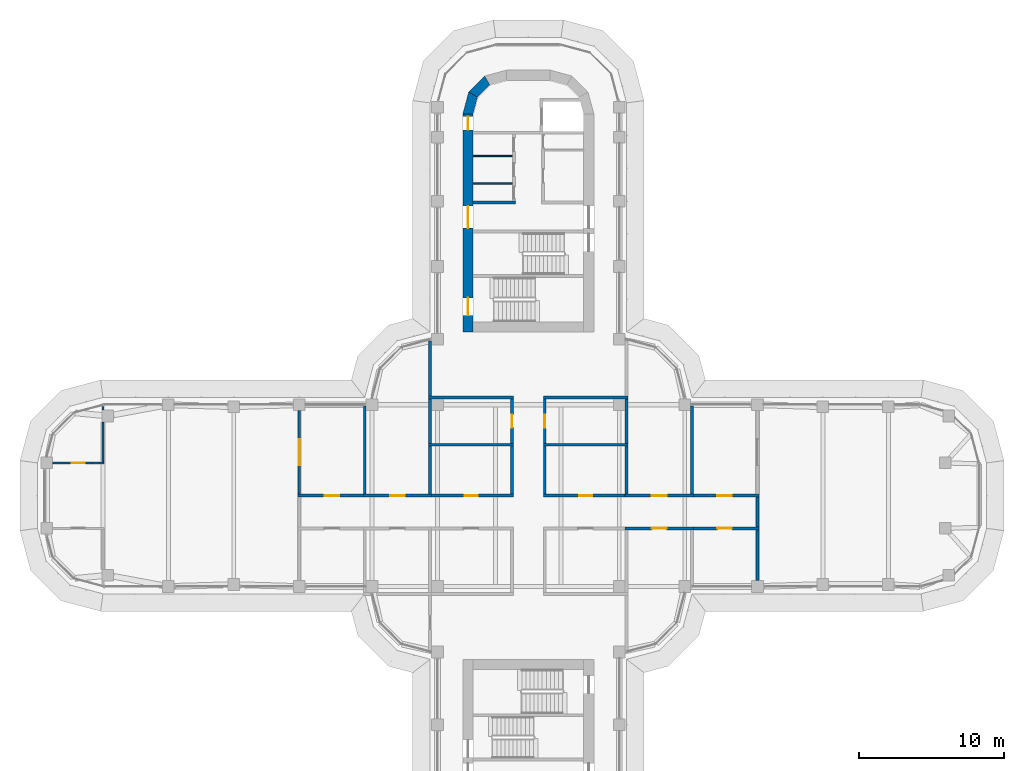
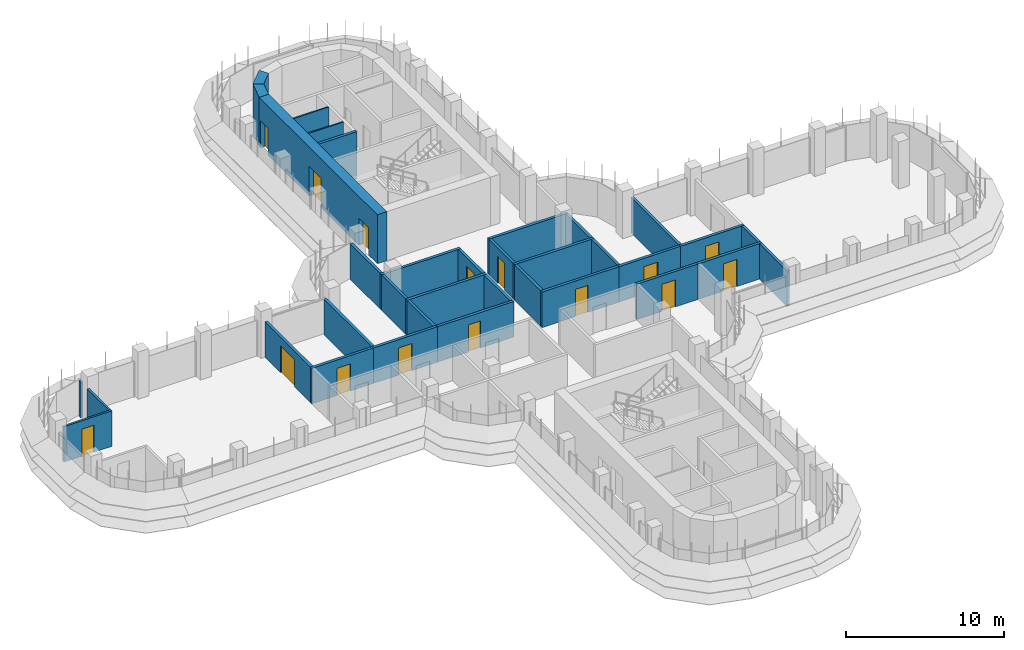
# One storey, part 14 of 19: 35 walls, 15 doors, 15 openings.
"""IFC4 building model written with IfcOpenShell, lengths in metres."""

from ifc_helpers import new_model, si_unit, direction, frame, frame_2d, origin, place, context, subcontext, project, spatial, polyline, rectangle, outline, extrude, material, layer, layer_set, type_object, element, fill, save


model = new_model("IFC4")

# Units and contexts
model_context = context("Model", 3, precision=1e-05, world=origin(), true_north=direction((0.0, 1.0)))
body_context = subcontext(model_context, "Body", "Model", "MODEL_VIEW")
ifc_project = project(units=[si_unit("LENGTHUNIT", "METRE"), si_unit("AREAUNIT", "SQUARE_METRE"), si_unit("VOLUMEUNIT", "CUBIC_METRE"), si_unit("PLANEANGLEUNIT", "RADIAN"), si_unit("MASSUNIT", "GRAM", prefix="KILO")], contexts=[model_context])

# Site, building, storey
site_placement = place(None, origin())
site = spatial("IfcSite", under=ifc_project, at=site_placement, CompositionType="ELEMENT")
building_placement = place(site_placement, origin())
building = spatial("IfcBuilding", under=site, at=building_placement, Name="Zarbagh Exchange Tower", CompositionType="ELEMENT")
storey_placement = place(building_placement, frame((0.0, 0.0, 167.60009765625)))
storey = spatial("IfcBuildingStorey", under=building, at=storey_placement, Name="L40", CompositionType="ELEMENT", Elevation=167.60009765625)

# Walls
ifc_material_1 = material(Name="Dense blockwork", Category="masonry")
ifc_layer_1 = layer(ifc_material_1, 0.10009765625)
ifc_layer_set_1 = layer_set([ifc_layer_1], Name="Core partition 100 mm blockwork")
wall_type_1 = type_object("IfcWallType", Name="Core partition 100 mm blockwork", PredefinedType="PARTITIONING", material=ifc_layer_set_1)
for number, where, z_axis, x_axis, name in (
    (1, (-3.800048828125, 23.35009765625, 0.0), (0.0, 0.0, 1.0), (1.0, 0.0, 0.0), "North core partition wall CUT-W-500"),
    (2, (-3.800048828125, 21.449951171875, 0.0), (0.0, 0.0, 1.0), (1.0, 0.0, 0.0), "North core partition wall CUT-W-690"),
):
    element("IfcWall", number, at=place(storey_placement, frame(where, z_axis=z_axis, x_axis=x_axis)), inside=storey, type_object=wall_type_1, Name=name, PredefinedType="PARTITIONING", context=body_context, shape_type="SweptSolid", body=[
        extrude(rectangle(XDim=2.699951171875, YDim=0.10009765625, at=frame_2d((1.35009765625, 0.0))), origin(), (0.0, 0.0, 1.0), 3.64990234375),
    ])

# Wall, opening, door
ifc_material_2 = material(Name="Plasterboard partition")
ifc_layer_2 = layer(ifc_material_2, 0.14990234375)
ifc_layer_set_2 = layer_set([ifc_layer_2], Name="PARTITION 150")
wall_type_2 = type_object("IfcWallType", Name="PARTITION 150", PredefinedType="PARTITIONING", material=ifc_layer_set_2)
wall_1_placement = place(storey_placement, frame((-32.7099609375, 2.25, 0.0), z_axis=(0.0, 0.0, 1.0), x_axis=(1.0, 0.0, 0.0)))
wall_1 = element("IfcWall", 3, at=wall_1_placement, inside=storey, type_object=wall_type_2, Name="Partition W-1746", PredefinedType="PARTITIONING", context=body_context, shape_type="SweptSolid", body=[
    extrude(rectangle(XDim=3.534912109375, YDim=0.14990234375, at=frame_2d((1.767578125, 0.0))), origin(), (0.0, 0.0, 1.0), 2.75),
])
opening_1_placement = place(wall_1_placement, frame((1.3173828125, 0.0, 0.0)))
opening_1 = element("IfcOpeningElement", 4, at=opening_1_placement, cuts=wall_1, Name="Opening D-1715", PredefinedType="OPENING", context=body_context, shape_type="SweptSolid", body=[
    extrude(rectangle(XDim=0.89990234375, YDim=2.10009765625, at=frame_2d((0.449951171875, 1.050048828125))), frame((0.0, 0.0849609375, 0.0), z_axis=(0.0, -1.0, 0.0), x_axis=(1.0, 0.0, 0.0)), (0.0, 0.0, 1.0), 0.169921875),
])
ifc_material_3 = material(Name="Timber door leaf", Category="wood")
door_type_1 = type_object("IfcDoorType", Name="DOOR 900 X 2100", OperationType="NOTDEFINED", PredefinedType="DOOR", material=ifc_material_3)
door_1_placement = place(opening_1_placement, origin())
door_1 = element("IfcDoor", 5, at=door_1_placement, inside=storey, type_object=door_type_1, Name="Door D-1715", OperationType="SINGLE_SWING_LEFT", OverallHeight=2.10009765625, OverallWidth=0.89990234375, PredefinedType="DOOR", context=body_context, shape_type="SweptSolid", body=[
    extrude(rectangle(XDim=0.89990234375, YDim=2.10009765625, at=frame_2d((0.449951171875, 1.050048828125))), frame((0.0, 0.02490234375, 0.0), z_axis=(0.0, -1.0, 0.0), x_axis=(1.0, 0.0, 0.0)), (0.0, 0.0, 1.0), 0.050048828125),
])
fill(opening_1, door_1)

# Walls
wall_2_placement = place(storey_placement, frame((-29.25, 2.324951171875, 0.0), z_axis=(0.0, 0.0, 1.0), x_axis=(0.0, 1.0, 0.0)))
element("IfcWall", 6, at=wall_2_placement, inside=storey, type_object=wall_type_2, Name="Partition W-1747", PredefinedType="PARTITIONING", context=body_context, shape_type="SweptSolid", body=[
    extrude(rectangle(XDim=2.75, YDim=0.14990234375, at=frame_2d((1.375, 0.0))), origin(), (0.0, 0.0, 1.0), 2.75),
])
wall_3_placement = place(storey_placement, frame((-29.25, 5.875, 0.0), z_axis=(0.0, 0.0, 1.0), x_axis=(0.0, 1.0, 0.0)))
element("IfcWall", 7, at=wall_3_placement, inside=storey, type_object=wall_type_2, Name="Partition W-1748", PredefinedType="PARTITIONING", context=body_context, shape_type="SweptSolid", body=[
    extrude(rectangle(XDim=0.2548828125, YDim=0.14990234375, at=frame_2d((0.12744140625, 0.0))), origin(), (0.0, 0.0, 1.0), 2.75),
])

# Wall, opening, door
ifc_material_4 = material(Name="Fire-rated plasterboard partition")
ifc_layer_3 = layer(ifc_material_4, 0.199951171875)
ifc_layer_set_3 = layer_set([ifc_layer_3], Name="RATED PARTITION 200")
wall_type_3 = type_object("IfcWallType", Name="RATED PARTITION 200", PredefinedType="PARTITIONING", material=ifc_layer_set_3)
wall_4_placement = place(storey_placement, frame((1.02490234375, 0.0, 0.0), z_axis=(0.0, 0.0, 1.0), x_axis=(1.0, 0.0, 0.0)))
wall_4 = element("IfcWall", 8, at=wall_4_placement, inside=storey, type_object=wall_type_3, Name="Partition W-1701", PredefinedType="PARTITIONING", context=body_context, shape_type="SweptSolid", body=[
    extrude(rectangle(XDim=5.8251953125, YDim=0.199951171875, at=frame_2d((2.91259765625, 0.0))), origin(), (0.0, 0.0, 1.0), 2.75),
])
opening_2_placement = place(wall_4_placement, frame((2.46240234375, 0.0, 0.0)))
opening_2 = element("IfcOpeningElement", 9, at=opening_2_placement, cuts=wall_4, Name="Opening D-1704", PredefinedType="OPENING", context=body_context, shape_type="SweptSolid", body=[
    extrude(rectangle(XDim=0.89990234375, YDim=2.10009765625, at=frame_2d((0.449951171875, 1.050048828125))), frame((0.0, 0.10986328125, 0.0), z_axis=(0.0, -1.0, 0.0), x_axis=(1.0, 0.0, 0.0)), (0.0, 0.0, 1.0), 0.219970703125),
])
door_2_placement = place(opening_2_placement, origin())
door_2 = element("IfcDoor", 10, at=door_2_placement, inside=storey, type_object=door_type_1, Name="Door D-1704", OperationType="SINGLE_SWING_RIGHT", OverallHeight=2.10009765625, OverallWidth=0.89990234375, PredefinedType="DOOR", context=body_context, shape_type="SweptSolid", body=[
    extrude(rectangle(XDim=0.89990234375, YDim=2.10009765625, at=frame_2d((0.449951171875, 1.050048828125))), frame((0.0, 0.02490234375, 0.0), z_axis=(0.0, -1.0, 0.0), x_axis=(1.0, 0.0, 0.0)), (0.0, 0.0, 1.0), 0.050048828125),
])
fill(opening_2, door_2)

wall_5_placement = place(storey_placement, frame((6.64990234375, 0.0, 0.0), z_axis=(0.0, 0.0, 1.0), x_axis=(1.0, 0.0, 0.0)))
wall_5 = element("IfcWall", 11, at=wall_5_placement, inside=storey, type_object=wall_type_3, Name="Partition W-1702", PredefinedType="PARTITIONING", context=body_context, shape_type="SweptSolid", body=[
    extrude(rectangle(XDim=4.7001953125, YDim=0.199951171875, at=frame_2d((2.35009765625, 0.0))), origin(), (0.0, 0.0, 1.0), 2.75),
])
opening_3_placement = place(wall_5_placement, frame((1.85009765625, 0.0, 0.0)))
opening_3 = element("IfcOpeningElement", 12, at=opening_3_placement, cuts=wall_5, Name="Opening D-1706", PredefinedType="OPENING", context=body_context, shape_type="SweptSolid", body=[
    extrude(rectangle(XDim=1.0, YDim=2.10009765625, at=frame_2d((0.5, 1.050048828125))), frame((0.0, 0.10986328125, 0.0), z_axis=(0.0, -1.0, 0.0), x_axis=(1.0, 0.0, 0.0)), (0.0, 0.0, 1.0), 0.219970703125),
])
ifc_material_5 = material(Name="Steel door set", Category="steel")
door_type_2 = type_object("IfcDoorType", Name="FIRE DOOR 1000 X 2100 FD30S", OperationType="NOTDEFINED", PredefinedType="DOOR", material=ifc_material_5)
door_3_placement = place(opening_3_placement, origin())
door_3 = element("IfcDoor", 13, at=door_3_placement, inside=storey, type_object=door_type_2, Name="Door D-1706", OperationType="SINGLE_SWING_RIGHT", OverallHeight=2.10009765625, OverallWidth=1.0, PredefinedType="DOOR", context=body_context, shape_type="SweptSolid", body=[
    extrude(rectangle(XDim=1.0, YDim=2.10009765625, at=frame_2d((0.5, 1.050048828125))), frame((0.0, 0.02490234375, 0.0), z_axis=(0.0, -1.0, 0.0), x_axis=(1.0, 0.0, 0.0)), (0.0, 0.0, 1.0), 0.050048828125),
])
fill(opening_3, door_3)

wall_6_placement = place(storey_placement, frame((-6.85009765625, 0.0, 0.0), z_axis=(0.0, 0.0, 1.0), x_axis=(1.0, 0.0, 0.0)))
wall_6 = element("IfcWall", 14, at=wall_6_placement, inside=storey, type_object=wall_type_3, Name="Partition W-1703", PredefinedType="PARTITIONING", context=body_context, shape_type="SweptSolid", body=[
    extrude(rectangle(XDim=5.8251953125, YDim=0.199951171875, at=frame_2d((2.91259765625, 0.0))), origin(), (0.0, 0.0, 1.0), 2.75),
])
opening_4_placement = place(wall_6_placement, frame((2.46240234375, 0.0, 0.0)))
opening_4 = element("IfcOpeningElement", 15, at=opening_4_placement, cuts=wall_6, Name="Opening D-1707", PredefinedType="OPENING", context=body_context, shape_type="SweptSolid", body=[
    extrude(rectangle(XDim=0.89990234375, YDim=2.10009765625, at=frame_2d((0.449951171875, 1.050048828125))), frame((0.0, 0.10986328125, 0.0), z_axis=(0.0, -1.0, 0.0), x_axis=(1.0, 0.0, 0.0)), (0.0, 0.0, 1.0), 0.219970703125),
])
door_4_placement = place(opening_4_placement, origin())
door_4 = element("IfcDoor", 16, at=door_4_placement, inside=storey, type_object=door_type_1, Name="Door D-1707", OperationType="SINGLE_SWING_RIGHT", OverallHeight=2.10009765625, OverallWidth=0.89990234375, PredefinedType="DOOR", context=body_context, shape_type="SweptSolid", body=[
    extrude(rectangle(XDim=0.89990234375, YDim=2.10009765625, at=frame_2d((0.449951171875, 1.050048828125))), frame((0.0, 0.02490234375, 0.0), z_axis=(0.0, -1.0, 0.0), x_axis=(1.0, 0.0, 0.0)), (0.0, 0.0, 1.0), 0.050048828125),
])
fill(opening_4, door_4)

wall_7_placement = place(storey_placement, frame((-11.35009765625, 0.0, 0.0), z_axis=(0.0, 0.0, 1.0), x_axis=(1.0, 0.0, 0.0)))
wall_7 = element("IfcWall", 17, at=wall_7_placement, inside=storey, type_object=wall_type_3, Name="Partition W-1704", PredefinedType="PARTITIONING", context=body_context, shape_type="SweptSolid", body=[
    extrude(rectangle(XDim=4.7001953125, YDim=0.199951171875, at=frame_2d((2.35009765625, 0.0))), origin(), (0.0, 0.0, 1.0), 2.75),
])
opening_5_placement = place(wall_7_placement, frame((1.85009765625, 0.0, 0.0)))
opening_5 = element("IfcOpeningElement", 18, at=opening_5_placement, cuts=wall_7, Name="Opening D-1709", PredefinedType="OPENING", context=body_context, shape_type="SweptSolid", body=[
    extrude(rectangle(XDim=1.0, YDim=2.10009765625, at=frame_2d((0.5, 1.050048828125))), frame((0.0, 0.10986328125, 0.0), z_axis=(0.0, -1.0, 0.0), x_axis=(1.0, 0.0, 0.0)), (0.0, 0.0, 1.0), 0.219970703125),
])
door_5_placement = place(opening_5_placement, origin())
door_5 = element("IfcDoor", 19, at=door_5_placement, inside=storey, type_object=door_type_2, Name="Door D-1709", OperationType="SINGLE_SWING_RIGHT", OverallHeight=2.10009765625, OverallWidth=1.0, PredefinedType="DOOR", context=body_context, shape_type="SweptSolid", body=[
    extrude(rectangle(XDim=1.0, YDim=2.10009765625, at=frame_2d((0.5, 1.050048828125))), frame((0.0, 0.02490234375, 0.0), z_axis=(0.0, -1.0, 0.0), x_axis=(1.0, 0.0, 0.0)), (0.0, 0.0, 1.0), 0.050048828125),
])
fill(opening_5, door_5)

wall_8_placement = place(storey_placement, frame((11.35009765625, -2.25, 0.0), z_axis=(0.0, 0.0, 1.0), x_axis=(-1.0, 0.0, 0.0)))
wall_8 = element("IfcWall", 20, at=wall_8_placement, inside=storey, type_object=wall_type_3, Name="Partition W-1706", PredefinedType="PARTITIONING", context=body_context, shape_type="SweptSolid", body=[
    extrude(rectangle(XDim=4.7001953125, YDim=0.199951171875, at=frame_2d((2.35009765625, 0.0))), origin(), (0.0, 0.0, 1.0), 2.75),
])
opening_6_placement = place(wall_8_placement, frame((1.85009765625, 0.0, 0.0)))
opening_6 = element("IfcOpeningElement", 21, at=opening_6_placement, cuts=wall_8, Name="Opening D-1711", PredefinedType="OPENING", context=body_context, shape_type="SweptSolid", body=[
    extrude(rectangle(XDim=1.0, YDim=2.10009765625, at=frame_2d((0.5, 1.050048828125))), frame((0.0, 0.10986328125, 0.0), z_axis=(0.0, -1.0, 0.0), x_axis=(1.0, 0.0, 0.0)), (0.0, 0.0, 1.0), 0.219970703125),
])
door_6_placement = place(opening_6_placement, origin())
door_6 = element("IfcDoor", 22, at=door_6_placement, inside=storey, type_object=door_type_2, Name="Door D-1711", OperationType="SINGLE_SWING_RIGHT", OverallHeight=2.10009765625, OverallWidth=1.0, PredefinedType="DOOR", context=body_context, shape_type="SweptSolid", body=[
    extrude(rectangle(XDim=1.0, YDim=2.10009765625, at=frame_2d((0.5, 1.050048828125))), frame((0.0, 0.02490234375, 0.0), z_axis=(0.0, -1.0, 0.0), x_axis=(1.0, 0.0, 0.0)), (0.0, 0.0, 1.0), 0.050048828125),
])
fill(opening_6, door_6)

wall_9_placement = place(storey_placement, frame((11.14990234375, 0.0, 0.0), z_axis=(0.0, 0.0, 1.0), x_axis=(1.0, 0.0, 0.0)))
wall_9 = element("IfcWall", 23, at=wall_9_placement, inside=storey, type_object=wall_type_3, Name="Partition W-1709", PredefinedType="PARTITIONING", context=body_context, shape_type="SweptSolid", body=[
    extrude(rectangle(XDim=4.7001953125, YDim=0.199951171875, at=frame_2d((2.35009765625, 0.0))), origin(), (0.0, 0.0, 1.0), 2.75),
])
opening_7_placement = place(wall_9_placement, frame((1.85009765625, 0.0, 0.0)))
opening_7 = element("IfcOpeningElement", 24, at=opening_7_placement, cuts=wall_9, Name="Opening D-1702", PredefinedType="OPENING", context=body_context, shape_type="SweptSolid", body=[
    extrude(rectangle(XDim=1.0, YDim=2.10009765625, at=frame_2d((0.5, 1.050048828125))), frame((0.0, 0.10986328125, 0.0), z_axis=(0.0, -1.0, 0.0), x_axis=(1.0, 0.0, 0.0)), (0.0, 0.0, 1.0), 0.219970703125),
])
door_7_placement = place(opening_7_placement, origin())
door_7 = element("IfcDoor", 25, at=door_7_placement, inside=storey, type_object=door_type_2, Name="Door D-1702", OperationType="SINGLE_SWING_RIGHT", OverallHeight=2.10009765625, OverallWidth=1.0, PredefinedType="DOOR", context=body_context, shape_type="SweptSolid", body=[
    extrude(rectangle(XDim=1.0, YDim=2.10009765625, at=frame_2d((0.5, 1.050048828125))), frame((0.0, 0.02490234375, 0.0), z_axis=(0.0, -1.0, 0.0), x_axis=(1.0, 0.0, 0.0)), (0.0, 0.0, 1.0), 0.050048828125),
])
fill(opening_7, door_7)

wall_10_placement = place(storey_placement, frame((15.85009765625, -2.25, 0.0), z_axis=(0.0, 0.0, 1.0), x_axis=(-1.0, 0.0, 0.0)))
wall_10 = element("IfcWall", 26, at=wall_10_placement, inside=storey, type_object=wall_type_3, Name="Partition W-1710", PredefinedType="PARTITIONING", context=body_context, shape_type="SweptSolid", body=[
    extrude(rectangle(XDim=4.7001953125, YDim=0.199951171875, at=frame_2d((2.35009765625, 0.0))), origin(), (0.0, 0.0, 1.0), 2.75),
])
opening_8_placement = place(wall_10_placement, frame((1.85009765625, 0.0, 0.0)))
opening_8 = element("IfcOpeningElement", 27, at=opening_8_placement, cuts=wall_10, Name="Opening D-1703", PredefinedType="OPENING", context=body_context, shape_type="SweptSolid", body=[
    extrude(rectangle(XDim=1.0, YDim=2.10009765625, at=frame_2d((0.5, 1.050048828125))), frame((0.0, 0.10986328125, 0.0), z_axis=(0.0, -1.0, 0.0), x_axis=(1.0, 0.0, 0.0)), (0.0, 0.0, 1.0), 0.219970703125),
])
door_8_placement = place(opening_8_placement, origin())
door_8 = element("IfcDoor", 28, at=door_8_placement, inside=storey, type_object=door_type_2, Name="Door D-1703", OperationType="SINGLE_SWING_RIGHT", OverallHeight=2.10009765625, OverallWidth=1.0, PredefinedType="DOOR", context=body_context, shape_type="SweptSolid", body=[
    extrude(rectangle(XDim=1.0, YDim=2.10009765625, at=frame_2d((0.5, 1.050048828125))), frame((0.0, 0.02490234375, 0.0), z_axis=(0.0, -1.0, 0.0), x_axis=(1.0, 0.0, 0.0)), (0.0, 0.0, 1.0), 0.050048828125),
])
fill(opening_8, door_8)

# Wall
wall_11_placement = place(storey_placement, frame((15.75, -2.14990234375, 0.0), z_axis=(0.0, 0.0, 1.0), x_axis=(0.0, 1.0, 0.0)))
element("IfcWall", 29, at=wall_11_placement, inside=storey, type_object=wall_type_3, Name="Partition W-1711", PredefinedType="PARTITIONING", context=body_context, shape_type="SweptSolid", body=[
    extrude(rectangle(XDim=2.0498046875, YDim=0.199951171875, at=frame_2d((1.02490234375, 0.0))), origin(), (0.0, 0.0, 1.0), 2.75),
])

# Wall, opening, door
wall_12_placement = place(storey_placement, frame((-15.85009765625, 0.0, 0.0), z_axis=(0.0, 0.0, 1.0), x_axis=(1.0, 0.0, 0.0)))
wall_12 = element("IfcWall", 30, at=wall_12_placement, inside=storey, type_object=wall_type_3, Name="Partition W-1712", PredefinedType="PARTITIONING", context=body_context, shape_type="SweptSolid", body=[
    extrude(rectangle(XDim=4.7001953125, YDim=0.199951171875, at=frame_2d((2.35009765625, 0.0))), origin(), (0.0, 0.0, 1.0), 2.75),
])
opening_9_placement = place(wall_12_placement, frame((1.85009765625, 0.0, 0.0)))
opening_9 = element("IfcOpeningElement", 31, at=opening_9_placement, cuts=wall_12, Name="Opening D-1718", PredefinedType="OPENING", context=body_context, shape_type="SweptSolid", body=[
    extrude(rectangle(XDim=1.0, YDim=2.10009765625, at=frame_2d((0.5, 1.050048828125))), frame((0.0, 0.10986328125, 0.0), z_axis=(0.0, -1.0, 0.0), x_axis=(1.0, 0.0, 0.0)), (0.0, 0.0, 1.0), 0.219970703125),
])
door_9_placement = place(opening_9_placement, origin())
door_9 = element("IfcDoor", 32, at=door_9_placement, inside=storey, type_object=door_type_2, Name="Door D-1718", OperationType="SINGLE_SWING_RIGHT", OverallHeight=2.10009765625, OverallWidth=1.0, PredefinedType="DOOR", context=body_context, shape_type="SweptSolid", body=[
    extrude(rectangle(XDim=1.0, YDim=2.10009765625, at=frame_2d((0.5, 1.050048828125))), frame((0.0, 0.02490234375, 0.0), z_axis=(0.0, -1.0, 0.0), x_axis=(1.0, 0.0, 0.0)), (0.0, 0.0, 1.0), 0.050048828125),
])
fill(opening_9, door_9)

# Wall
wall_13_placement = place(storey_placement, frame((1.125, 0.10009765625, 0.0), z_axis=(0.0, 0.0, 1.0), x_axis=(0.0, 1.0, 0.0)))
element("IfcWall", 33, at=wall_13_placement, inside=storey, type_object=wall_type_3, Name="Partition W-1715", PredefinedType="PARTITIONING", context=body_context, shape_type="SweptSolid", body=[
    extrude(rectangle(XDim=3.2998046875, YDim=0.199951171875, at=frame_2d((1.64990234375, 0.0))), origin(), (0.0, 0.0, 1.0), 2.75),
])

# Wall, opening, door
wall_14_placement = place(storey_placement, frame((1.125, 6.64990234375, 0.0), z_axis=(0.0, 0.0, 1.0), x_axis=(0.0, -1.0, 0.0)))
wall_14 = element("IfcWall", 34, at=wall_14_placement, inside=storey, type_object=wall_type_3, Name="Partition W-1716", PredefinedType="PARTITIONING", context=body_context, shape_type="SweptSolid", body=[
    extrude(rectangle(XDim=3.0498046875, YDim=0.199951171875, at=frame_2d((1.52490234375, 0.0))), origin(), (0.0, 0.0, 1.0), 2.75),
])
opening_10_placement = place(wall_14_placement, frame((1.074951171875, 0.0, 0.0)))
opening_10 = element("IfcOpeningElement", 35, at=opening_10_placement, cuts=wall_14, Name="Opening D-1705", PredefinedType="OPENING", context=body_context, shape_type="SweptSolid", body=[
    extrude(rectangle(XDim=0.89990234375, YDim=2.10009765625, at=frame_2d((0.449951171875, 1.050048828125))), frame((0.0, 0.10986328125, 0.0), z_axis=(0.0, -1.0, 0.0), x_axis=(1.0, 0.0, 0.0)), (0.0, 0.0, 1.0), 0.219970703125),
])
door_10_placement = place(opening_10_placement, origin())
door_10 = element("IfcDoor", 36, at=door_10_placement, inside=storey, type_object=door_type_1, Name="Door D-1705", OperationType="SINGLE_SWING_RIGHT", OverallHeight=2.10009765625, OverallWidth=0.89990234375, PredefinedType="DOOR", context=body_context, shape_type="SweptSolid", body=[
    extrude(rectangle(XDim=0.89990234375, YDim=2.10009765625, at=frame_2d((0.449951171875, 1.050048828125))), frame((0.0, 0.02490234375, 0.0), z_axis=(0.0, -1.0, 0.0), x_axis=(1.0, 0.0, 0.0)), (0.0, 0.0, 1.0), 0.050048828125),
])
fill(opening_10, door_10)

# Wall
wall_15_placement = place(storey_placement, frame((-1.125, 0.10009765625, 0.0), z_axis=(0.0, 0.0, 1.0), x_axis=(0.0, 1.0, 0.0)))
element("IfcWall", 37, at=wall_15_placement, inside=storey, type_object=wall_type_3, Name="Partition W-1717", PredefinedType="PARTITIONING", context=body_context, shape_type="SweptSolid", body=[
    extrude(rectangle(XDim=3.2998046875, YDim=0.199951171875, at=frame_2d((1.64990234375, 0.0))), origin(), (0.0, 0.0, 1.0), 2.75),
])

# Wall, opening, door
wall_16_placement = place(storey_placement, frame((-1.125, 3.60009765625, 0.0), z_axis=(0.0, 0.0, 1.0), x_axis=(0.0, 1.0, 0.0)))
wall_16 = element("IfcWall", 38, at=wall_16_placement, inside=storey, type_object=wall_type_3, Name="Partition W-1718", PredefinedType="PARTITIONING", context=body_context, shape_type="SweptSolid", body=[
    extrude(rectangle(XDim=3.0498046875, YDim=0.199951171875, at=frame_2d((1.52490234375, 0.0))), origin(), (0.0, 0.0, 1.0), 2.75),
])
opening_11_placement = place(wall_16_placement, frame((1.074951171875, 0.0, 0.0)))
opening_11 = element("IfcOpeningElement", 39, at=opening_11_placement, cuts=wall_16, Name="Opening D-1708", PredefinedType="OPENING", context=body_context, shape_type="SweptSolid", body=[
    extrude(rectangle(XDim=0.89990234375, YDim=2.10009765625, at=frame_2d((0.449951171875, 1.050048828125))), frame((0.0, 0.10986328125, 0.0), z_axis=(0.0, -1.0, 0.0), x_axis=(1.0, 0.0, 0.0)), (0.0, 0.0, 1.0), 0.219970703125),
])
door_11_placement = place(opening_11_placement, origin())
door_11 = element("IfcDoor", 40, at=door_11_placement, inside=storey, type_object=door_type_1, Name="Door D-1708", OperationType="SINGLE_SWING_LEFT", OverallHeight=2.10009765625, OverallWidth=0.89990234375, PredefinedType="DOOR", context=body_context, shape_type="SweptSolid", body=[
    extrude(rectangle(XDim=0.89990234375, YDim=2.10009765625, at=frame_2d((0.449951171875, 1.050048828125))), frame((0.0, 0.02490234375, 0.0), z_axis=(0.0, -1.0, 0.0), x_axis=(1.0, 0.0, 0.0)), (0.0, 0.0, 1.0), 0.050048828125),
])
fill(opening_11, door_11)

# Walls
for number, where, z_axis, x_axis, name in (
    (41, (1.02490234375, 6.75, 0.0), (0.0, 0.0, 1.0), (1.0, 0.0, 0.0), "Partition W-1721"),
    (42, (-6.85009765625, 6.75, 0.0), (0.0, 0.0, 1.0), (1.0, 0.0, 0.0), "Partition W-1723"),
):
    element("IfcWall", number, at=place(storey_placement, frame(where, z_axis=z_axis, x_axis=x_axis)), inside=storey, type_object=wall_type_3, Name=name, PredefinedType="PARTITIONING", context=body_context, shape_type="SweptSolid", body=[
        extrude(rectangle(XDim=5.8251953125, YDim=0.199951171875, at=frame_2d((2.91259765625, 0.0))), origin(), (0.0, 0.0, 1.0), 2.75),
    ])
wall_17_placement = place(storey_placement, frame((-6.75, 6.85009765625, 0.0), z_axis=(0.0, 0.0, 1.0), x_axis=(0.0, 1.0, 0.0)))
element("IfcWall", 43, at=wall_17_placement, inside=storey, type_object=wall_type_3, Name="Partition W-1724", PredefinedType="PARTITIONING", context=body_context, shape_type="SweptSolid", body=[
    extrude(rectangle(XDim=3.77978515625, YDim=0.199951171875, at=frame_2d((1.889892578125, 0.0))), origin(), (0.0, 0.0, 1.0), 2.75),
])
wall_18_placement = place(storey_placement, frame((1.02490234375, 3.5, 0.0), z_axis=(0.0, 0.0, 1.0), x_axis=(1.0, 0.0, 0.0)))
element("IfcWall", 44, at=wall_18_placement, inside=storey, type_object=wall_type_3, Name="Partition W-1729", PredefinedType="PARTITIONING", context=body_context, shape_type="SweptSolid", body=[
    extrude(rectangle(XDim=5.8251953125, YDim=0.199951171875, at=frame_2d((2.91259765625, 0.0))), origin(), (0.0, 0.0, 1.0), 2.75),
])
wall_19_placement = place(storey_placement, frame((6.75, 0.10009765625, 0.0), z_axis=(0.0, 0.0, 1.0), x_axis=(0.0, 1.0, 0.0)))
element("IfcWall", 45, at=wall_19_placement, inside=storey, type_object=wall_type_3, Name="Partition W-1730", PredefinedType="PARTITIONING", context=body_context, shape_type="SweptSolid", body=[
    extrude(rectangle(XDim=3.2998046875, YDim=0.199951171875, at=frame_2d((1.64990234375, 0.0))), origin(), (0.0, 0.0, 1.0), 2.75),
])
wall_20_placement = place(storey_placement, frame((6.75, 3.60009765625, 0.0), z_axis=(0.0, 0.0, 1.0), x_axis=(0.0, 1.0, 0.0)))
element("IfcWall", 46, at=wall_20_placement, inside=storey, type_object=wall_type_3, Name="Partition W-1731", PredefinedType="PARTITIONING", context=body_context, shape_type="SweptSolid", body=[
    extrude(rectangle(XDim=3.0498046875, YDim=0.199951171875, at=frame_2d((1.52490234375, 0.0))), origin(), (0.0, 0.0, 1.0), 2.75),
])
wall_21_placement = place(storey_placement, frame((11.25, 0.10009765625, 0.0), z_axis=(0.0, 0.0, 1.0), x_axis=(0.0, 1.0, 0.0)))
element("IfcWall", 47, at=wall_21_placement, inside=storey, type_object=wall_type_3, Name="Partition W-1732", PredefinedType="PARTITIONING", context=body_context, shape_type="SweptSolid", body=[
    extrude(rectangle(XDim=6.06982421875, YDim=0.199951171875, at=frame_2d((3.034912109375, 0.0))), origin(), (0.0, 0.0, 1.0), 2.75),
])
wall_22_placement = place(storey_placement, frame((-6.85009765625, 3.5, 0.0), z_axis=(0.0, 0.0, 1.0), x_axis=(1.0, 0.0, 0.0)))
element("IfcWall", 48, at=wall_22_placement, inside=storey, type_object=wall_type_3, Name="Partition W-1733", PredefinedType="PARTITIONING", context=body_context, shape_type="SweptSolid", body=[
    extrude(rectangle(XDim=5.8251953125, YDim=0.199951171875, at=frame_2d((2.91259765625, 0.0))), origin(), (0.0, 0.0, 1.0), 2.75),
])
wall_23_placement = place(storey_placement, frame((-6.75, 0.10009765625, 0.0), z_axis=(0.0, 0.0, 1.0), x_axis=(0.0, 1.0, 0.0)))
element("IfcWall", 49, at=wall_23_placement, inside=storey, type_object=wall_type_3, Name="Partition W-1734", PredefinedType="PARTITIONING", context=body_context, shape_type="SweptSolid", body=[
    extrude(rectangle(XDim=3.2998046875, YDim=0.199951171875, at=frame_2d((1.64990234375, 0.0))), origin(), (0.0, 0.0, 1.0), 2.75),
])
wall_24_placement = place(storey_placement, frame((-6.75, 3.60009765625, 0.0), z_axis=(0.0, 0.0, 1.0), x_axis=(0.0, 1.0, 0.0)))
element("IfcWall", 50, at=wall_24_placement, inside=storey, type_object=wall_type_3, Name="Partition W-1735", PredefinedType="PARTITIONING", context=body_context, shape_type="SweptSolid", body=[
    extrude(rectangle(XDim=3.0498046875, YDim=0.199951171875, at=frame_2d((1.52490234375, 0.0))), origin(), (0.0, 0.0, 1.0), 2.75),
])
wall_25_placement = place(storey_placement, frame((-11.25, 0.10009765625, 0.0), z_axis=(0.0, 0.0, 1.0), x_axis=(0.0, 1.0, 0.0)))
element("IfcWall", 51, at=wall_25_placement, inside=storey, type_object=wall_type_3, Name="Partition W-1736", PredefinedType="PARTITIONING", context=body_context, shape_type="SweptSolid", body=[
    extrude(rectangle(XDim=6.06982421875, YDim=0.199951171875, at=frame_2d((3.034912109375, 0.0))), origin(), (0.0, 0.0, 1.0), 2.75),
])
wall_26_placement = place(storey_placement, frame((15.75, -5.85009765625, 0.0), z_axis=(0.0, 0.0, 1.0), x_axis=(0.0, 1.0, 0.0)))
element("IfcWall", 52, at=wall_26_placement, inside=storey, type_object=wall_type_3, Name="Partition W-1743", PredefinedType="PARTITIONING", context=body_context, shape_type="SweptSolid", body=[
    extrude(rectangle(XDim=3.5, YDim=0.199951171875, at=frame_2d((1.75, 0.0))), origin(), (0.0, 0.0, 1.0), 2.75),
])

# Wall, opening, door
wall_27_placement = place(storey_placement, frame((-15.75, 0.10009765625, 0.0), z_axis=(0.0, 0.0, 1.0), x_axis=(0.0, 1.0, 0.0)))
wall_27 = element("IfcWall", 53, at=wall_27_placement, inside=storey, type_object=wall_type_3, Name="Partition W-1744", PredefinedType="PARTITIONING", context=body_context, shape_type="SweptSolid", body=[
    extrude(rectangle(XDim=5.75, YDim=0.199951171875, at=frame_2d((2.875, 0.0))), origin(), (0.0, 0.0, 1.0), 2.75),
])
opening_12_placement = place(wall_27_placement, frame((1.97509765625, 0.0, 0.0)))
opening_12 = element("IfcOpeningElement", 54, at=opening_12_placement, cuts=wall_27, Name="Opening D-1717", PredefinedType="OPENING", context=body_context, shape_type="SweptSolid", body=[
    extrude(rectangle(XDim=1.800048828125, YDim=2.10009765625, at=frame_2d((0.89990234375, 1.050048828125))), frame((0.0, 0.10986328125, 0.0), z_axis=(0.0, -1.0, 0.0), x_axis=(1.0, 0.0, 0.0)), (0.0, 0.0, 1.0), 0.219970703125),
])
door_type_3 = type_object("IfcDoorType", Name="FIRE DOUBLE DOOR 1800 X 2100 FD30S", OperationType="DOUBLE_DOOR_SINGLE_SWING", PredefinedType="DOOR", material=ifc_material_5)
door_12_placement = place(opening_12_placement, origin())
door_12 = element("IfcDoor", 55, at=door_12_placement, inside=storey, type_object=door_type_3, Name="Door D-1717", OperationType="DOUBLE_DOOR_SINGLE_SWING", OverallHeight=2.10009765625, OverallWidth=1.800048828125, PredefinedType="DOOR", context=body_context, shape_type="SweptSolid", body=[
    extrude(rectangle(XDim=1.800048828125, YDim=2.10009765625, at=frame_2d((0.89990234375, 1.050048828125))), frame((0.0, 0.02490234375, 0.0), z_axis=(0.0, -1.0, 0.0), x_axis=(1.0, 0.0, 0.0)), (0.0, 0.0, 1.0), 0.050048828125),
])
fill(opening_12, door_12)

# Walls
ifc_material_6 = material(Name="Concrete C50/60", Category="concrete")
ifc_layer_4 = layer(ifc_material_6, 0.699951171875)
ifc_layer_set_4 = layer_set([ifc_layer_4], Name="RC core corner wall 700 C50/60")
wall_type_4 = type_object("IfcWallType", Name="RC core corner wall 700 C50/60", PredefinedType="SHEAR", material=ifc_layer_set_4)
wall_28_placement = place(storey_placement, origin())
element("IfcWall", 56, at=wall_28_placement, inside=storey, type_object=wall_type_4, Name="CW6 core N corner W", PredefinedType="SHEAR", context=body_context, shape_type="SweptSolid", body=[
    extrude(outline(polyline([(-4.5, 26.25), (-4.09814453125, 27.75), (-3.491943359375, 27.39990234375), (-3.800048828125, 26.25), (-4.5, 26.25)])), origin(), (0.0, 0.0, 1.0), 3.7998046875),
])
wall_29_placement = place(storey_placement, origin())
element("IfcWall", 57, at=wall_29_placement, inside=storey, type_object=wall_type_4, Name="CW6 core N corner W", PredefinedType="SHEAR", context=body_context, shape_type="SweptSolid", body=[
    extrude(outline(polyline([(-4.09814453125, 27.75), (-3.0, 28.84814453125), (-2.64990234375, 28.241943359375), (-3.491943359375, 27.39990234375), (-4.09814453125, 27.75)])), origin(), (0.0, 0.0, 1.0), 3.7998046875),
])

# Wall, openings, doors
ifc_layer_5 = layer(ifc_material_6, 0.699951171875)
ifc_layer_set_5 = layer_set([ifc_layer_5], Name="RC core wall 700 C50/60")
wall_type_5 = type_object("IfcWallType", Name="RC core wall 700 C50/60", PredefinedType="SHEAR", material=ifc_layer_set_5)
wall_30_placement = place(storey_placement, frame((-4.14990234375, 11.25, 0.0), z_axis=(0.0, 0.0, 1.0), x_axis=(0.0, 1.0, 0.0)))
wall_30 = element("IfcWall", 58, at=wall_30_placement, inside=storey, type_object=wall_type_5, Name="CW5 core N W", PredefinedType="SHEAR", context=body_context, shape_type="SweptSolid", body=[
    extrude(rectangle(XDim=15.0, YDim=0.699951171875, at=frame_2d((7.5, 0.0))), origin(), (0.0, 0.0, 1.0), 3.7998046875),
])
opening_13_placement = place(wall_30_placement, frame((7.14990234375, 0.0, 0.0)))
opening_13 = element("IfcOpeningElement", 59, at=opening_13_placement, cuts=wall_30, Name="Opening CD1-1500", PredefinedType="OPENING", context=body_context, shape_type="SweptSolid", body=[
    extrude(rectangle(XDim=1.5, YDim=2.300048828125, at=frame_2d((0.75, 1.14990234375))), frame((0.0, 0.35986328125, 0.0), z_axis=(0.0, -1.0, 0.0), x_axis=(1.0, 0.0, 0.0)), (0.0, 0.0, 1.0), 0.719970703125),
])
opening_14_placement = place(wall_30_placement, frame((13.89990234375, 0.0, 0.0)))
opening_14 = element("IfcOpeningElement", 60, at=opening_14_placement, cuts=wall_30, Name="Opening CD2-900", PredefinedType="OPENING", context=body_context, shape_type="SweptSolid", body=[
    extrude(rectangle(XDim=0.89990234375, YDim=2.10009765625, at=frame_2d((0.449951171875, 1.050048828125))), frame((0.0, 0.35986328125, 0.0), z_axis=(0.0, -1.0, 0.0), x_axis=(1.0, 0.0, 0.0)), (0.0, 0.0, 1.0), 0.719970703125),
])
opening_15_placement = place(wall_30_placement, frame((1.14990234375, 0.0, 0.0)))
opening_15 = element("IfcOpeningElement", 61, at=opening_15_placement, cuts=wall_30, Name="Opening SD1-1200", PredefinedType="OPENING", context=body_context, shape_type="SweptSolid", body=[
    extrude(rectangle(XDim=1.199951171875, YDim=2.10009765625, at=frame_2d((0.60009765625, 1.050048828125))), frame((0.0, 0.35986328125, 0.0), z_axis=(0.0, -1.0, 0.0), x_axis=(1.0, 0.0, 0.0)), (0.0, 0.0, 1.0), 0.719970703125),
])
ifc_material_7 = material(Name="Steel", Category="steel")
door_type_4 = type_object("IfcDoorType", Name="Exit stair door 1200 x 2100", OperationType="NOTDEFINED", PredefinedType="DOOR", material=ifc_material_7)
door_13_placement = place(opening_15_placement, origin())
door_13 = element("IfcDoor", 62, at=door_13_placement, inside=storey, type_object=door_type_4, Name="North core stair door ST2", OperationType="SINGLE_SWING_LEFT", OverallHeight=2.10009765625, OverallWidth=1.199951171875, PredefinedType="DOOR", context=body_context, shape_type="SweptSolid", body=[
    extrude(rectangle(XDim=1.199951171875, YDim=2.10009765625, at=frame_2d((0.60009765625, 1.050048828125))), frame((0.0, 0.02490234375, 0.0), z_axis=(0.0, -1.0, 0.0), x_axis=(1.0, 0.0, 0.0)), (0.0, 0.0, 1.0), 0.050048828125),
])
fill(opening_15, door_13)
door_type_5 = type_object("IfcDoorType", Name="Firefighting lobby door 900 x 2100", OperationType="NOTDEFINED", PredefinedType="DOOR", material=ifc_material_7)
door_14_placement = place(opening_14_placement, origin())
door_14 = element("IfcDoor", 63, at=door_14_placement, inside=storey, type_object=door_type_5, Name="North core firefighting lobby door FF-W", OperationType="SINGLE_SWING_LEFT", OverallHeight=2.10009765625, OverallWidth=0.89990234375, PredefinedType="DOOR", context=body_context, shape_type="SweptSolid", body=[
    extrude(rectangle(XDim=0.89990234375, YDim=2.10009765625, at=frame_2d((0.449951171875, 1.050048828125))), frame((0.0, 0.02490234375, 0.0), z_axis=(0.0, -1.0, 0.0), x_axis=(1.0, 0.0, 0.0)), (0.0, 0.0, 1.0), 0.050048828125),
])
fill(opening_14, door_14)
door_type_6 = type_object("IfcDoorType", Name="Lift lobby double door 1500 x 2300", OperationType="NOTDEFINED", PredefinedType="DOOR", material=ifc_material_7)
door_15_placement = place(opening_13_placement, origin())
door_15 = element("IfcDoor", 64, at=door_15_placement, inside=storey, type_object=door_type_6, Name="North core lift lobby door LOBBY-W", OperationType="DOUBLE_DOOR_SINGLE_SWING", OverallHeight=2.300048828125, OverallWidth=1.5, PredefinedType="DOOR", context=body_context, shape_type="SweptSolid", body=[
    extrude(rectangle(XDim=1.5, YDim=2.300048828125, at=frame_2d((0.75, 1.14990234375))), frame((0.0, 0.02490234375, 0.0), z_axis=(0.0, -1.0, 0.0), x_axis=(1.0, 0.0, 0.0)), (0.0, 0.0, 1.0), 0.050048828125),
])
fill(opening_13, door_15)

# Wall
ifc_layer_6 = layer(ifc_material_1, 0.199951171875)
ifc_layer_set_6 = layer_set([ifc_layer_6], Name="Shaft wall 200 mm blockwork")
wall_type_6 = type_object("IfcWallType", Name="Shaft wall 200 mm blockwork", PredefinedType="PARTITIONING", material=ifc_layer_set_6)
wall_31_placement = place(storey_placement, frame((-3.800048828125, 20.14990234375, 0.0), z_axis=(0.0, 0.0, 1.0), x_axis=(1.0, 0.0, 0.0)))
element("IfcWall", 65, at=wall_31_placement, inside=storey, type_object=wall_type_6, Name="North core shaft wall AB-W", PredefinedType="PARTITIONING", context=body_context, shape_type="SweptSolid", body=[
    extrude(rectangle(XDim=2.900146484375, YDim=0.199951171875, at=frame_2d((1.4501953125, 0.0))), origin(), (0.0, 0.0, 1.0), 3.64990234375),
])

save(model, "model.ifc")
